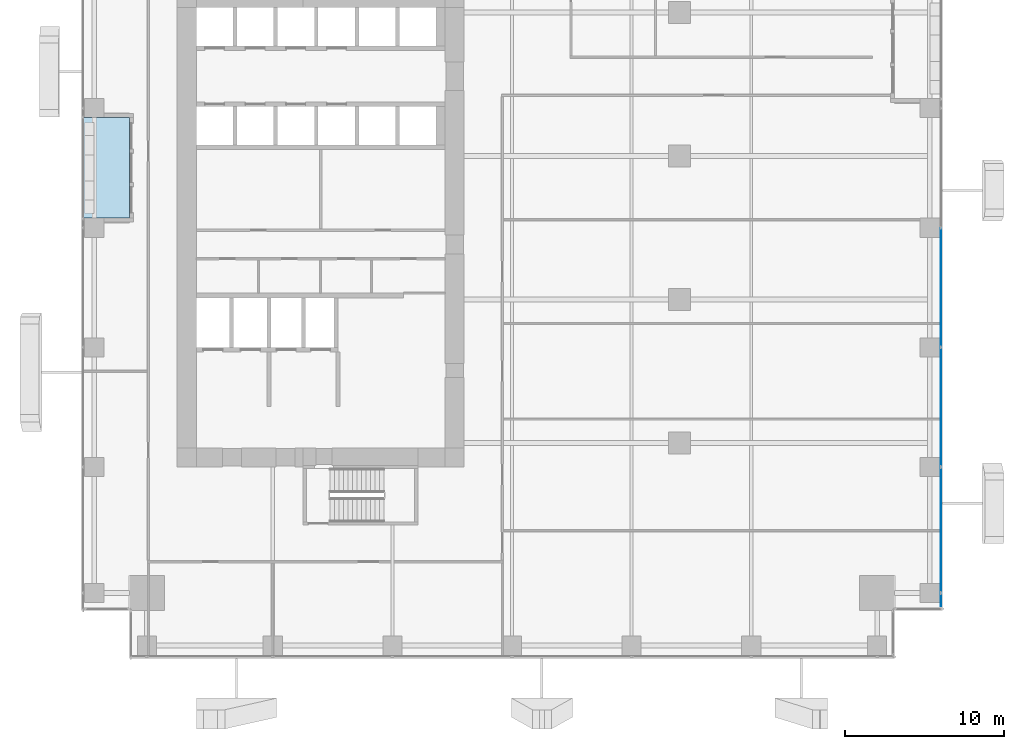
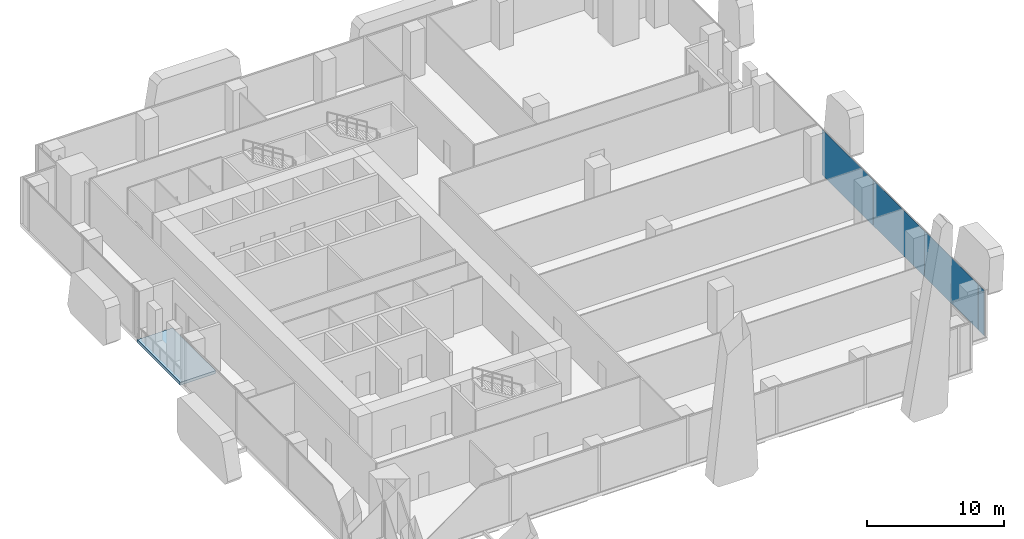
# One storey, part 24 of 35: 4 plates, 1 slab, 1 element without a shape of its own.
"""IFC4 building model written with IfcOpenShell, lengths in metres."""

from ifc_helpers import new_model, si_unit, direction, frame, origin, origin_2d, place, context, subcontext, project, spatial, polyline, rectangle, outline, extrude, source, transform, mapped, material, layer, layer_set, type_object, element, aggregate, save


model = new_model("IFC4")

# Units and contexts
model_context = context("Model", 3, precision=1e-05, world=origin(), true_north=direction((0.0, 1.0)))
body_context = subcontext(model_context, "Body", "Model", "MODEL_VIEW")
ifc_project = project(units=[si_unit("LENGTHUNIT", "METRE"), si_unit("AREAUNIT", "SQUARE_METRE"), si_unit("VOLUMEUNIT", "CUBIC_METRE"), si_unit("PLANEANGLEUNIT", "RADIAN"), si_unit("MASSUNIT", "GRAM", prefix="KILO")], contexts=[model_context])

# Site, building, storey
site_placement = place(None, origin())
site = spatial("IfcSite", under=ifc_project, at=site_placement, CompositionType="ELEMENT")
building_placement = place(site_placement, origin())
building = spatial("IfcBuilding", under=site, at=building_placement, Name="Khomas Fold Tower", CompositionType="ELEMENT")
storey_placement = place(building_placement, frame((0.0, 0.0, 69.0)))
storey = spatial("IfcBuildingStorey", under=building, at=storey_placement, Name="L14", CompositionType="ELEMENT", Elevation=69.0)

# Curtain wall, plates
ifc_material_1 = material(Name="Aluminium framed double glazing", Category="aluminium")
curtain_wall_type = type_object("IfcCurtainWallType", Name="SK-Unitised clear-glass wall, growing floors CW1", PredefinedType="NOTDEFINED", material=ifc_material_1)
curtain_wall_placement = place(storey_placement, origin())
curtain_wall = element("IfcCurtainWall", 1, at=curtain_wall_placement, inside=storey, type_object=curtain_wall_type, Name="CW1 run L14 03-0", PredefinedType="NOTDEFINED")
ifc_material_2 = material(Name="Clear double glazed unit")
ifc_layer_1 = layer(ifc_material_2, 0.031982421875)
ifc_layer_set_1 = layer_set([ifc_layer_1], Name="Clear double glazed unit")
plate_type = type_object("IfcPlateType", Name="SK-Unitised clear-glass wall, growing floors glass panel CW1-P", PredefinedType="CURTAIN_PANEL", material=ifc_layer_set_1)
shared_shape_1 = source(origin(), body_context, "Body", "SweptSolid", [
    extrude(rectangle(XDim=0.81005859375, YDim=0.031982421875, at=origin_2d()), origin(), (0.0, 0.0, 1.0), 4.080078125),
])
plate_1_placement = place(storey_placement, frame((53.89990234375, 3.6650390625, 0.0), z_axis=(0.0, 0.0, 1.0), x_axis=(0.0, 1.0, 0.0)))
plate_1 = element("IfcPlate", 2, at=plate_1_placement, type_object=plate_type, Name="CW1 glass panel 1", PredefinedType="CURTAIN_PANEL", context=body_context, shape_type="MappedRepresentation", body=[
    mapped(shared_shape_1, transform((0.0, 0.0, 0.0))),
])
shared_shape_2 = source(origin(), body_context, "Body", "SweptSolid", [
    extrude(rectangle(XDim=7.840087890625, YDim=0.031982421875, at=origin_2d()), origin(), (0.0, 0.0, 1.0), 4.080078125),
])
plate_2_placement = place(storey_placement, frame((53.89990234375, 8.050048828125, 0.0), z_axis=(0.0, 0.0, 1.0), x_axis=(0.0, 1.0, 0.0)))
plate_2 = element("IfcPlate", 3, at=plate_2_placement, type_object=plate_type, Name="CW1 glass panel 2", PredefinedType="CURTAIN_PANEL", context=body_context, shape_type="MappedRepresentation", body=[
    mapped(shared_shape_2, transform((0.0, 0.0, 0.0))),
])
shared_shape_3 = source(origin(), body_context, "Body", "SweptSolid", [
    extrude(rectangle(XDim=7.43994140625, YDim=0.031982421875, at=origin_2d()), origin(), (0.0, 0.0, 1.0), 4.080078125),
])
plate_3_placement = place(storey_placement, frame((53.89990234375, 15.75, 0.0), z_axis=(0.0, 0.0, 1.0), x_axis=(0.0, 1.0, 0.0)))
plate_3 = element("IfcPlate", 4, at=plate_3_placement, type_object=plate_type, Name="CW1 glass panel 3", PredefinedType="CURTAIN_PANEL", context=body_context, shape_type="MappedRepresentation", body=[
    mapped(shared_shape_3, transform((0.0, 0.0, 0.0))),
])
plate_4_placement = place(storey_placement, frame((53.89990234375, 23.25, 0.0), z_axis=(0.0, 0.0, 1.0), x_axis=(0.0, 1.0, 0.0)))
plate_4 = element("IfcPlate", 5, at=plate_4_placement, type_object=plate_type, Name="CW1 glass panel 4", PredefinedType="CURTAIN_PANEL", context=body_context, shape_type="MappedRepresentation", body=[
    mapped(shared_shape_3, transform((0.0, 0.0, 0.0))),
])
aggregate(curtain_wall, [plate_1, plate_2, plate_3, plate_4])

# Slab
ifc_material_3 = material(Name="Concrete C40/50", Category="concrete")
ifc_layer_2 = layer(ifc_material_3, 0.2548828125)
ifc_layer_set_2 = layer_set([ifc_layer_2], Name="Concrete C40/50")
slab_type = type_object("IfcSlabType", Name="BL-Balcony deck 255", PredefinedType="FLOOR", material=ifc_layer_set_2)
shared_shape_4 = source(origin(), body_context, "Body", "SweptSolid", [
    extrude(outline(polyline([(0.0, 27.60009765625), (3.0, 27.60009765625), (3.0, 33.89990234375), (0.0, 33.89990234375), (0.0, 27.60009765625)])), origin(), (0.0, 0.0, 1.0), 0.255126953125),
])
slab_placement = place(storey_placement, frame((0.0, 0.0, -0.300048828125)))
element("IfcSlab", 6, at=slab_placement, inside=storey, type_object=slab_type, Name="Balcony deck BAL-L14-W3", PredefinedType="FLOOR", context=body_context, shape_type="MappedRepresentation", body=[
    mapped(shared_shape_4, transform((0.0, 0.0, 0.0))),
])

save(model, "model.ifc")
